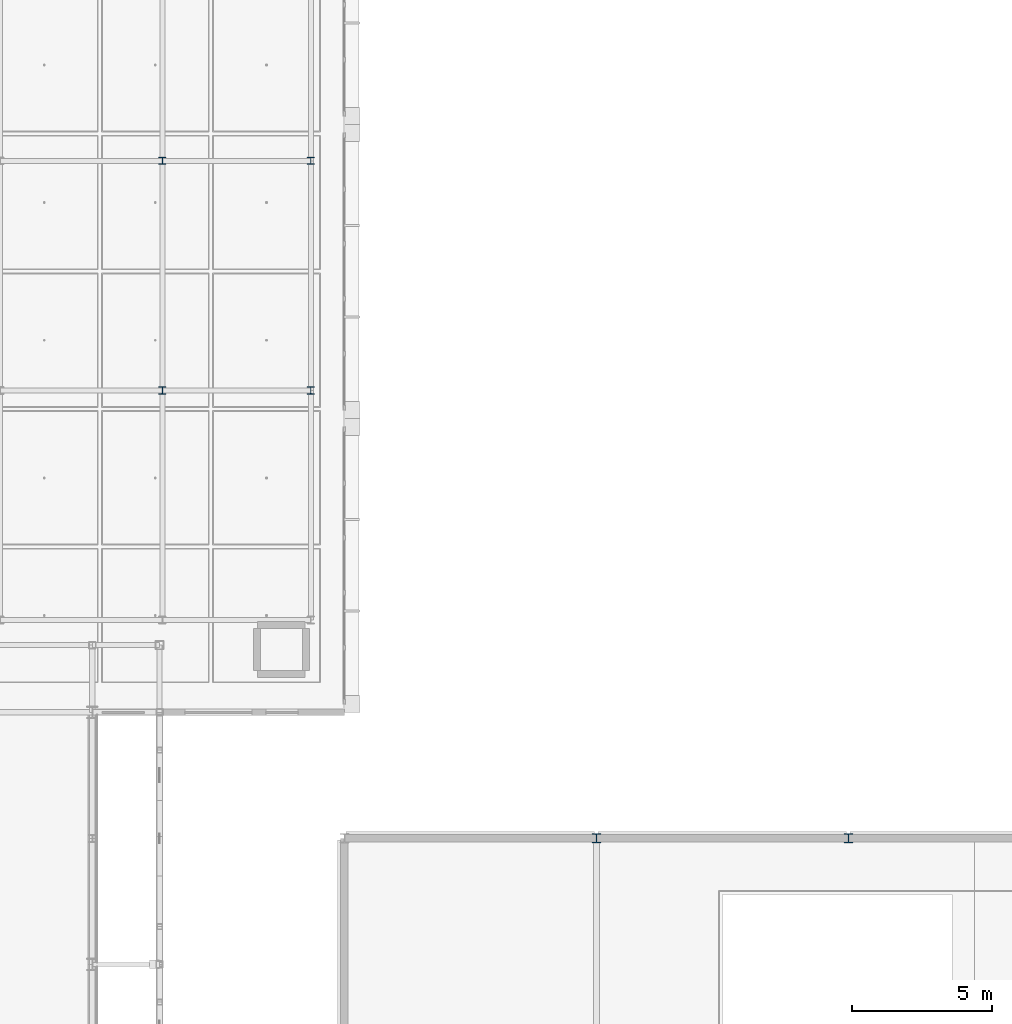
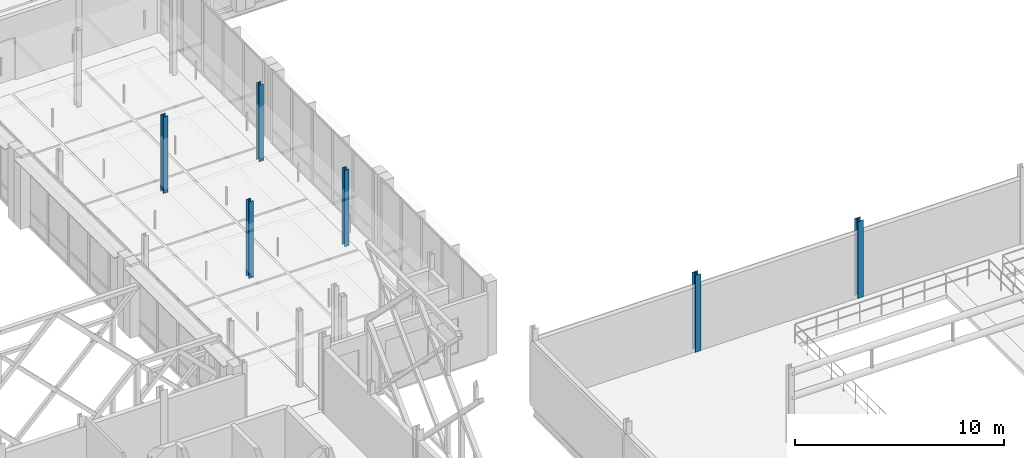
# One storey, part 11 of 140: 6 columns.
"""IFC4 building model written with IfcOpenShell, lengths in metres."""

from ifc_helpers import new_model, si_unit, direction, frame, origin, origin_2d, place, context, subcontext, project, spatial, i_section, extrude, material, material_profile, profile_set, type_object, element, save


model = new_model("IFC4")

# Units and contexts
model_context = context("Model", 3, precision=1e-05, world=origin(), true_north=direction((0.0, 1.0)))
body_context = subcontext(model_context, "Body", "Model", "MODEL_VIEW")
ifc_project = project(units=[si_unit("LENGTHUNIT", "METRE"), si_unit("AREAUNIT", "SQUARE_METRE"), si_unit("VOLUMEUNIT", "CUBIC_METRE"), si_unit("PLANEANGLEUNIT", "RADIAN"), si_unit("MASSUNIT", "GRAM", prefix="KILO"), si_unit("THERMODYNAMICTEMPERATUREUNIT", "KELVIN"), si_unit("POWERUNIT", "WATT")], contexts=[model_context])

# Site, building, storey
site_placement = place(None, origin())
site = spatial("IfcSite", under=ifc_project, at=site_placement, CompositionType="ELEMENT")
building_placement = place(site_placement, origin())
building = spatial("IfcBuilding", under=site, at=building_placement, Name="Tallowbark Science Centre", CompositionType="ELEMENT")
storey_placement = place(building_placement, frame((0.0, 0.0, 9.89990234375)))
storey = spatial("IfcBuildingStorey", under=building, at=storey_placement, Name="L02", CompositionType="ELEMENT", Elevation=9.89990234375)

# Columns
ifc_material = material(Name="Structural Steel Grade 300PLUS (300 MPa)", Category="steel")
ifc_material_profile_1 = material_profile(ifc_material, i_section(OverallWidth=0.256103515625, OverallDepth=0.260009765625, WebThickness=0.010498046875, FlangeThickness=0.017333984375, FilletRadius=0.013916015625, at=origin_2d()), Name="250UC89.5")
ifc_profile_set_1 = profile_set([ifc_material_profile_1], Name="Structural Steel Grade 300PLUS (300 MPa)")
column_type_1 = type_object("IfcColumnType", Name="COL-UC250A", PredefinedType="COLUMN", material=ifc_profile_set_1)
for number, where, z_axis, x_axis, name in (
    (1, (106.0, 52.0, 0.0), (0.0, 0.0, 1.0), (1.0, 0.0, 0.0), "Column LNK-1_1 L02"),
    (2, (106.0, 60.199951171875, 0.0), (0.0, 0.0, 1.0), (1.0, 0.0, 0.0), "Column LNK-1_2 L02"),
    (3, (111.300048828125, 52.0, 0.0), (0.0, 0.0, 1.0), (1.0, 0.0, 0.0), "Column LNK-2_1 L02"),
    (4, (111.300048828125, 60.199951171875, 0.0), (0.0, 0.0, 1.0), (1.0, 0.0, 0.0), "Column LNK-2_2 L02"),
):
    element("IfcColumn", number, at=place(storey_placement, frame(where, z_axis=z_axis, x_axis=x_axis)), inside=storey, type_object=column_type_1, Name=name, PredefinedType="COLUMN", context=body_context, shape_type="SweptSolid", body=[
        extrude(i_section(OverallWidth=0.256103515625, OverallDepth=0.260009765625, WebThickness=0.010498046875, FlangeThickness=0.017333984375, FilletRadius=0.013916015625, at=origin_2d()), origin(), (0.0, 0.0, 1.0), 4.5),
    ])
ifc_material_profile_2 = material_profile(ifc_material, i_section(OverallWidth=0.30908203125, OverallDepth=0.320556640625, WebThickness=0.013916015625, FlangeThickness=0.021728515625, FilletRadius=0.0166015625, at=origin_2d()), Name="310UC137")
ifc_profile_set_2 = profile_set([ifc_material_profile_2], Name="Structural Steel Grade 300PLUS (300 MPa)")
column_type_2 = type_object("IfcColumnType", Name="COL-UC310B", PredefinedType="COLUMN", material=ifc_profile_set_2)
for number, where, z_axis, x_axis, name in (
    (5, (121.5, 36.0, 0.0), (0.0, 0.0, 1.0), (1.0, 0.0, 0.0), "Column THT-M1_4 L02"),
    (6, (130.5, 36.0, 0.0), (0.0, 0.0, 1.0), (1.0, 0.0, 0.0), "Column THT-M2_4 L02"),
):
    element("IfcColumn", number, at=place(storey_placement, frame(where, z_axis=z_axis, x_axis=x_axis)), inside=storey, type_object=column_type_2, Name=name, PredefinedType="COLUMN", context=body_context, shape_type="SweptSolid", body=[
        extrude(i_section(OverallWidth=0.30908203125, OverallDepth=0.320556640625, WebThickness=0.013916015625, FlangeThickness=0.021728515625, FilletRadius=0.0166015625, at=origin_2d()), origin(), (0.0, 0.0, 1.0), 4.5),
    ])

save(model, "model.ifc")
